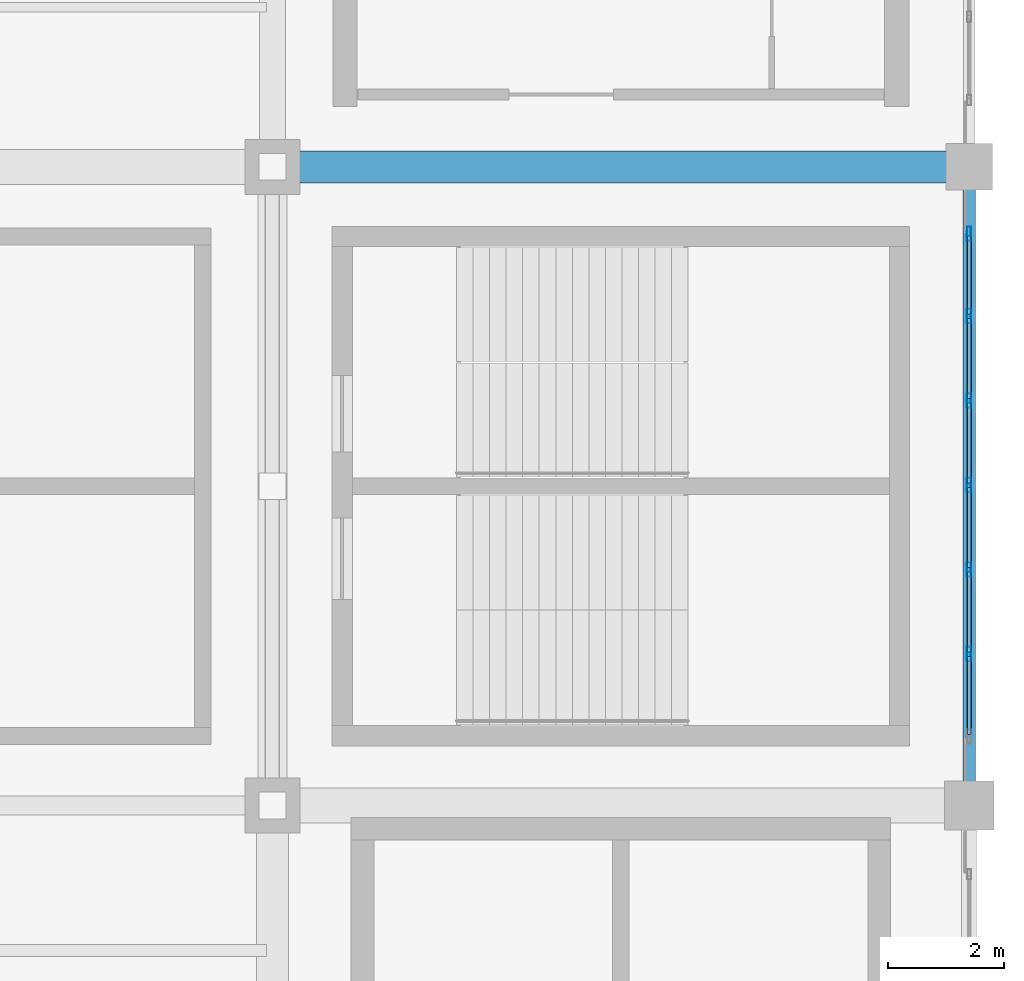
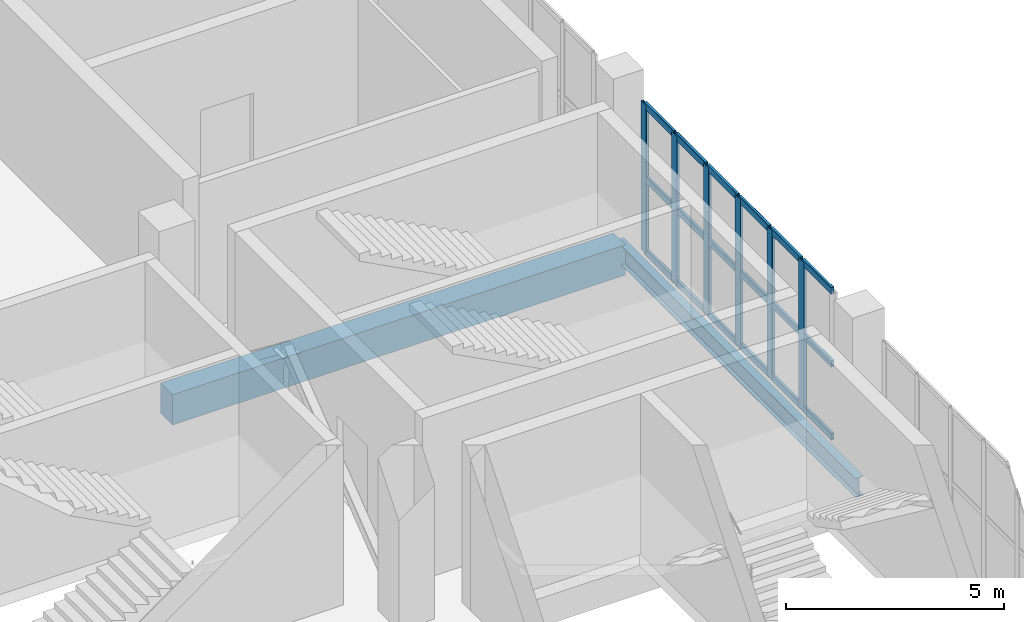
# One storey, part 35 of 90: 24 members, 2 beams, 1 element without a shape of its own.
"""IFC4 building model written with IfcOpenShell, lengths in metres."""

from ifc_helpers import new_model, si_unit, direction, frame, origin, origin_2d, place, context, subcontext, project, spatial, rectangle, hollow_rectangle, i_section, extrude, material, layer, layer_set, material_profile, profile_set, type_object, element, aggregate, save


model = new_model("IFC4")

# Units and contexts
model_context = context("Model", 3, precision=1e-05, world=origin(), true_north=direction((0.0, 1.0)))
body_context = subcontext(model_context, "Body", "Model", "MODEL_VIEW")
ifc_project = project(units=[si_unit("LENGTHUNIT", "METRE"), si_unit("AREAUNIT", "SQUARE_METRE"), si_unit("VOLUMEUNIT", "CUBIC_METRE"), si_unit("PLANEANGLEUNIT", "RADIAN"), si_unit("MASSUNIT", "GRAM", prefix="KILO")], contexts=[model_context])

# Site, building, storey
site_placement = place(None, origin())
site = spatial("IfcSite", under=ifc_project, at=site_placement, CompositionType="ELEMENT")
building_placement = place(site_placement, origin())
building = spatial("IfcBuilding", under=site, at=building_placement, Name="Brinegate Civic Arena", CompositionType="ELEMENT")
storey_placement = place(building_placement, frame((0.0, 0.0, 14.699951171875)))
storey = spatial("IfcBuildingStorey", under=building, at=storey_placement, Name="L03", CompositionType="ELEMENT", Elevation=14.699951171875)

# Curtain wall, members
ifc_material_1 = material(Name="Marine grade aluminium", Category="aluminium")
ifc_layer = layer(ifc_material_1, 0.199951171875, Name="Marine grade aluminium")
ifc_layer_set = layer_set([ifc_layer], Name="Marine grade aluminium")
curtain_wall_type = type_object("IfcCurtainWallType", Name="CW-BOWL-GLAZED-01", PredefinedType="USERDEFINED", material=ifc_layer_set)
curtain_wall_placement = place(storey_placement, origin())
curtain_wall = element("IfcCurtainWall", 1, at=curtain_wall_placement, inside=storey, type_object=curtain_wall_type, Name="Curtain Wall CWA-106", ObjectType="GLAZED CURTAIN WALL", PredefinedType="USERDEFINED")
ifc_material_profile_1 = material_profile(ifc_material_1, hollow_rectangle(XDim=0.074951171875, YDim=0.25, WallThickness=0.006103515625, InnerFilletRadius=0.00390625, OuterFilletRadius=0.008056640625, at=origin_2d()), Name="MUL75X250")
ifc_profile_set_1 = profile_set([ifc_material_profile_1], Name="Marine grade aluminium")
member_type_1 = type_object("IfcMemberType", Name="CW-MULLION-75X250", PredefinedType="MULLION", material=ifc_profile_set_1)
member_1_placement = place(storey_placement, frame((168.0, 22.6064453125, 0.0), z_axis=(0.0, 0.0, 1.0), x_axis=(-1.0, 0.0, 0.0)))
member_1 = element("IfcMember", 2, at=member_1_placement, type_object=member_type_1, Name="CWA-106 mullion 2", PredefinedType="MULLION", context=body_context, shape_type="SweptSolid", body=[
    extrude(hollow_rectangle(XDim=0.074951171875, YDim=0.25, WallThickness=0.006103515625, InnerFilletRadius=0.00390625, OuterFilletRadius=0.008056640625, at=origin_2d()), origin(), (0.0, 0.0, 1.0), 4.16015625),
])
member_2_placement = place(storey_placement, frame((168.0, 24.06201171875, 0.0), z_axis=(0.0, 0.0, 1.0), x_axis=(-1.0, 0.0, 0.0)))
member_2 = element("IfcMember", 3, at=member_2_placement, type_object=member_type_1, Name="CWA-106 mullion 3", PredefinedType="MULLION", context=body_context, shape_type="SweptSolid", body=[
    extrude(hollow_rectangle(XDim=0.074951171875, YDim=0.25, WallThickness=0.006103515625, InnerFilletRadius=0.00390625, OuterFilletRadius=0.008056640625, at=origin_2d()), origin(), (0.0, 0.0, 1.0), 4.16015625),
])
member_3_placement = place(storey_placement, frame((168.0, 25.517578125, 0.0), z_axis=(0.0, 0.0, 1.0), x_axis=(-1.0, 0.0, 0.0)))
member_3 = element("IfcMember", 4, at=member_3_placement, type_object=member_type_1, Name="CWA-106 mullion 4", PredefinedType="MULLION", context=body_context, shape_type="SweptSolid", body=[
    extrude(hollow_rectangle(XDim=0.074951171875, YDim=0.25, WallThickness=0.006103515625, InnerFilletRadius=0.00390625, OuterFilletRadius=0.008056640625, at=origin_2d()), origin(), (0.0, 0.0, 1.0), 4.16015625),
])
member_4_placement = place(storey_placement, frame((168.0, 26.972900390625, 0.0), z_axis=(0.0, 0.0, 1.0), x_axis=(-1.0, 0.0, 0.0)))
member_4 = element("IfcMember", 5, at=member_4_placement, type_object=member_type_1, Name="CWA-106 mullion 5", PredefinedType="MULLION", context=body_context, shape_type="SweptSolid", body=[
    extrude(hollow_rectangle(XDim=0.074951171875, YDim=0.25, WallThickness=0.006103515625, InnerFilletRadius=0.00390625, OuterFilletRadius=0.008056640625, at=origin_2d()), origin(), (0.0, 0.0, 1.0), 4.16015625),
])
member_5_placement = place(storey_placement, frame((168.0, 28.428466796875, 0.0), z_axis=(0.0, 0.0, 1.0), x_axis=(-1.0, 0.0, 0.0)))
member_5 = element("IfcMember", 6, at=member_5_placement, type_object=member_type_1, Name="CWA-106 mullion 6", PredefinedType="MULLION", context=body_context, shape_type="SweptSolid", body=[
    extrude(hollow_rectangle(XDim=0.074951171875, YDim=0.25, WallThickness=0.006103515625, InnerFilletRadius=0.00390625, OuterFilletRadius=0.008056640625, at=origin_2d()), origin(), (0.0, 0.0, 1.0), 4.16015625),
])
member_6_placement = place(storey_placement, frame((168.0, 29.846435546875, 0.0), z_axis=(0.0, 0.0, 1.0), x_axis=(-1.0, 0.0, 0.0)))
member_6 = element("IfcMember", 7, at=member_6_placement, type_object=member_type_1, Name="CWA-106 mullion 7", PredefinedType="MULLION", context=body_context, shape_type="SweptSolid", body=[
    extrude(hollow_rectangle(XDim=0.074951171875, YDim=0.25, WallThickness=0.006103515625, InnerFilletRadius=0.00390625, OuterFilletRadius=0.008056640625, at=origin_2d()), origin(), (0.0, 0.0, 1.0), 4.16015625),
])
ifc_material_profile_2 = material_profile(ifc_material_1, hollow_rectangle(XDim=0.074951171875, YDim=0.18994140625, WallThickness=0.006103515625, InnerFilletRadius=0.00390625, OuterFilletRadius=0.008056640625, at=origin_2d()), Name="TRN75X190")
ifc_profile_set_2 = profile_set([ifc_material_profile_2], Name="Marine grade aluminium")
member_type_2 = type_object("IfcMemberType", Name="CW-TRANSOM-75X190", PredefinedType="USERDEFINED", material=ifc_profile_set_2)
member_7_placement = place(storey_placement, frame((168.0, 21.22607421875, 0.03759765625), z_axis=(0.0, 1.0, 0.0), x_axis=(-1.0, 0.0, 0.0)))
member_7 = element("IfcMember", 8, at=member_7_placement, type_object=member_type_2, Name="CWA-106 transom 1.1", ObjectType="TRANSOM", PredefinedType="USERDEFINED", context=body_context, shape_type="SweptSolid", body=[
    extrude(hollow_rectangle(XDim=0.074951171875, YDim=0.18994140625, WallThickness=0.006103515625, InnerFilletRadius=0.00390625, OuterFilletRadius=0.008056640625, at=origin_2d()), origin(), (0.0, 0.0, 1.0), 1.343017578125),
])
member_8_placement = place(storey_placement, frame((168.0, 21.22607421875, 2.080078125), z_axis=(0.0, 1.0, 0.0), x_axis=(-1.0, 0.0, 0.0)))
member_8 = element("IfcMember", 9, at=member_8_placement, type_object=member_type_2, Name="CWA-106 transom 1.2", ObjectType="TRANSOM", PredefinedType="USERDEFINED", context=body_context, shape_type="SweptSolid", body=[
    extrude(hollow_rectangle(XDim=0.074951171875, YDim=0.18994140625, WallThickness=0.006103515625, InnerFilletRadius=0.00390625, OuterFilletRadius=0.008056640625, at=origin_2d()), origin(), (0.0, 0.0, 1.0), 1.343017578125),
])
member_9_placement = place(storey_placement, frame((168.0, 21.22607421875, 4.12255859375), z_axis=(0.0, 1.0, 0.0), x_axis=(-1.0, 0.0, 0.0)))
member_9 = element("IfcMember", 10, at=member_9_placement, type_object=member_type_2, Name="CWA-106 transom 1.3", ObjectType="TRANSOM", PredefinedType="USERDEFINED", context=body_context, shape_type="SweptSolid", body=[
    extrude(hollow_rectangle(XDim=0.074951171875, YDim=0.18994140625, WallThickness=0.006103515625, InnerFilletRadius=0.00390625, OuterFilletRadius=0.008056640625, at=origin_2d()), origin(), (0.0, 0.0, 1.0), 1.343017578125),
])
member_10_placement = place(storey_placement, frame((168.0, 22.64404296875, 0.03759765625), z_axis=(0.0, 1.0, 0.0), x_axis=(-1.0, 0.0, 0.0)))
member_10 = element("IfcMember", 11, at=member_10_placement, type_object=member_type_2, Name="CWA-106 transom 2.1", ObjectType="TRANSOM", PredefinedType="USERDEFINED", context=body_context, shape_type="SweptSolid", body=[
    extrude(hollow_rectangle(XDim=0.074951171875, YDim=0.18994140625, WallThickness=0.006103515625, InnerFilletRadius=0.00390625, OuterFilletRadius=0.008056640625, at=origin_2d()), origin(), (0.0, 0.0, 1.0), 1.38037109375),
])
member_11_placement = place(storey_placement, frame((168.0, 22.64404296875, 2.080078125), z_axis=(0.0, 1.0, 0.0), x_axis=(-1.0, 0.0, 0.0)))
member_11 = element("IfcMember", 12, at=member_11_placement, type_object=member_type_2, Name="CWA-106 transom 2.2", ObjectType="TRANSOM", PredefinedType="USERDEFINED", context=body_context, shape_type="SweptSolid", body=[
    extrude(hollow_rectangle(XDim=0.074951171875, YDim=0.18994140625, WallThickness=0.006103515625, InnerFilletRadius=0.00390625, OuterFilletRadius=0.008056640625, at=origin_2d()), origin(), (0.0, 0.0, 1.0), 1.38037109375),
])
member_12_placement = place(storey_placement, frame((168.0, 22.64404296875, 4.12255859375), z_axis=(0.0, 1.0, 0.0), x_axis=(-1.0, 0.0, 0.0)))
member_12 = element("IfcMember", 13, at=member_12_placement, type_object=member_type_2, Name="CWA-106 transom 2.3", ObjectType="TRANSOM", PredefinedType="USERDEFINED", context=body_context, shape_type="SweptSolid", body=[
    extrude(hollow_rectangle(XDim=0.074951171875, YDim=0.18994140625, WallThickness=0.006103515625, InnerFilletRadius=0.00390625, OuterFilletRadius=0.008056640625, at=origin_2d()), origin(), (0.0, 0.0, 1.0), 1.38037109375),
])
member_13_placement = place(storey_placement, frame((168.0, 24.099609375, 0.03759765625), z_axis=(0.0, 1.0, 0.0), x_axis=(-1.0, 0.0, 0.0)))
member_13 = element("IfcMember", 14, at=member_13_placement, type_object=member_type_2, Name="CWA-106 transom 3.1", ObjectType="TRANSOM", PredefinedType="USERDEFINED", context=body_context, shape_type="SweptSolid", body=[
    extrude(hollow_rectangle(XDim=0.074951171875, YDim=0.18994140625, WallThickness=0.006103515625, InnerFilletRadius=0.00390625, OuterFilletRadius=0.008056640625, at=origin_2d()), origin(), (0.0, 0.0, 1.0), 1.38037109375),
])
member_14_placement = place(storey_placement, frame((168.0, 24.099609375, 2.080078125), z_axis=(0.0, 1.0, 0.0), x_axis=(-1.0, 0.0, 0.0)))
member_14 = element("IfcMember", 15, at=member_14_placement, type_object=member_type_2, Name="CWA-106 transom 3.2", ObjectType="TRANSOM", PredefinedType="USERDEFINED", context=body_context, shape_type="SweptSolid", body=[
    extrude(hollow_rectangle(XDim=0.074951171875, YDim=0.18994140625, WallThickness=0.006103515625, InnerFilletRadius=0.00390625, OuterFilletRadius=0.008056640625, at=origin_2d()), origin(), (0.0, 0.0, 1.0), 1.38037109375),
])
member_15_placement = place(storey_placement, frame((168.0, 24.099609375, 4.12255859375), z_axis=(0.0, 1.0, 0.0), x_axis=(-1.0, 0.0, 0.0)))
member_15 = element("IfcMember", 16, at=member_15_placement, type_object=member_type_2, Name="CWA-106 transom 3.3", ObjectType="TRANSOM", PredefinedType="USERDEFINED", context=body_context, shape_type="SweptSolid", body=[
    extrude(hollow_rectangle(XDim=0.074951171875, YDim=0.18994140625, WallThickness=0.006103515625, InnerFilletRadius=0.00390625, OuterFilletRadius=0.008056640625, at=origin_2d()), origin(), (0.0, 0.0, 1.0), 1.38037109375),
])
member_16_placement = place(storey_placement, frame((168.0, 25.554931640625, 0.03759765625), z_axis=(0.0, 1.0, 0.0), x_axis=(-1.0, 0.0, 0.0)))
member_16 = element("IfcMember", 17, at=member_16_placement, type_object=member_type_2, Name="CWA-106 transom 4.1", ObjectType="TRANSOM", PredefinedType="USERDEFINED", context=body_context, shape_type="SweptSolid", body=[
    extrude(hollow_rectangle(XDim=0.074951171875, YDim=0.18994140625, WallThickness=0.006103515625, InnerFilletRadius=0.00390625, OuterFilletRadius=0.008056640625, at=origin_2d()), origin(), (0.0, 0.0, 1.0), 1.380615234375),
])
member_17_placement = place(storey_placement, frame((168.0, 25.554931640625, 2.080078125), z_axis=(0.0, 1.0, 0.0), x_axis=(-1.0, 0.0, 0.0)))
member_17 = element("IfcMember", 18, at=member_17_placement, type_object=member_type_2, Name="CWA-106 transom 4.2", ObjectType="TRANSOM", PredefinedType="USERDEFINED", context=body_context, shape_type="SweptSolid", body=[
    extrude(hollow_rectangle(XDim=0.074951171875, YDim=0.18994140625, WallThickness=0.006103515625, InnerFilletRadius=0.00390625, OuterFilletRadius=0.008056640625, at=origin_2d()), origin(), (0.0, 0.0, 1.0), 1.380615234375),
])
member_18_placement = place(storey_placement, frame((168.0, 25.554931640625, 4.12255859375), z_axis=(0.0, 1.0, 0.0), x_axis=(-1.0, 0.0, 0.0)))
member_18 = element("IfcMember", 19, at=member_18_placement, type_object=member_type_2, Name="CWA-106 transom 4.3", ObjectType="TRANSOM", PredefinedType="USERDEFINED", context=body_context, shape_type="SweptSolid", body=[
    extrude(hollow_rectangle(XDim=0.074951171875, YDim=0.18994140625, WallThickness=0.006103515625, InnerFilletRadius=0.00390625, OuterFilletRadius=0.008056640625, at=origin_2d()), origin(), (0.0, 0.0, 1.0), 1.380615234375),
])
member_19_placement = place(storey_placement, frame((168.0, 27.010498046875, 0.03759765625), z_axis=(0.0, 1.0, 0.0), x_axis=(-1.0, 0.0, 0.0)))
member_19 = element("IfcMember", 20, at=member_19_placement, type_object=member_type_2, Name="CWA-106 transom 5.1", ObjectType="TRANSOM", PredefinedType="USERDEFINED", context=body_context, shape_type="SweptSolid", body=[
    extrude(hollow_rectangle(XDim=0.074951171875, YDim=0.18994140625, WallThickness=0.006103515625, InnerFilletRadius=0.00390625, OuterFilletRadius=0.008056640625, at=origin_2d()), origin(), (0.0, 0.0, 1.0), 1.380615234375),
])
member_20_placement = place(storey_placement, frame((168.0, 27.010498046875, 2.080078125), z_axis=(0.0, 1.0, 0.0), x_axis=(-1.0, 0.0, 0.0)))
member_20 = element("IfcMember", 21, at=member_20_placement, type_object=member_type_2, Name="CWA-106 transom 5.2", ObjectType="TRANSOM", PredefinedType="USERDEFINED", context=body_context, shape_type="SweptSolid", body=[
    extrude(hollow_rectangle(XDim=0.074951171875, YDim=0.18994140625, WallThickness=0.006103515625, InnerFilletRadius=0.00390625, OuterFilletRadius=0.008056640625, at=origin_2d()), origin(), (0.0, 0.0, 1.0), 1.380615234375),
])
member_21_placement = place(storey_placement, frame((168.0, 27.010498046875, 4.12255859375), z_axis=(0.0, 1.0, 0.0), x_axis=(-1.0, 0.0, 0.0)))
member_21 = element("IfcMember", 22, at=member_21_placement, type_object=member_type_2, Name="CWA-106 transom 5.3", ObjectType="TRANSOM", PredefinedType="USERDEFINED", context=body_context, shape_type="SweptSolid", body=[
    extrude(hollow_rectangle(XDim=0.074951171875, YDim=0.18994140625, WallThickness=0.006103515625, InnerFilletRadius=0.00390625, OuterFilletRadius=0.008056640625, at=origin_2d()), origin(), (0.0, 0.0, 1.0), 1.380615234375),
])
member_22_placement = place(storey_placement, frame((168.0, 28.466064453125, 0.03759765625), z_axis=(0.0, 1.0, 0.0), x_axis=(-1.0, 0.0, 0.0)))
member_22 = element("IfcMember", 23, at=member_22_placement, type_object=member_type_2, Name="CWA-106 transom 6.1", ObjectType="TRANSOM", PredefinedType="USERDEFINED", context=body_context, shape_type="SweptSolid", body=[
    extrude(hollow_rectangle(XDim=0.074951171875, YDim=0.18994140625, WallThickness=0.006103515625, InnerFilletRadius=0.00390625, OuterFilletRadius=0.008056640625, at=origin_2d()), origin(), (0.0, 0.0, 1.0), 1.343017578125),
])
member_23_placement = place(storey_placement, frame((168.0, 28.466064453125, 2.080078125), z_axis=(0.0, 1.0, 0.0), x_axis=(-1.0, 0.0, 0.0)))
member_23 = element("IfcMember", 24, at=member_23_placement, type_object=member_type_2, Name="CWA-106 transom 6.2", ObjectType="TRANSOM", PredefinedType="USERDEFINED", context=body_context, shape_type="SweptSolid", body=[
    extrude(hollow_rectangle(XDim=0.074951171875, YDim=0.18994140625, WallThickness=0.006103515625, InnerFilletRadius=0.00390625, OuterFilletRadius=0.008056640625, at=origin_2d()), origin(), (0.0, 0.0, 1.0), 1.343017578125),
])
member_24_placement = place(storey_placement, frame((168.0, 28.466064453125, 4.12255859375), z_axis=(0.0, 1.0, 0.0), x_axis=(-1.0, 0.0, 0.0)))
member_24 = element("IfcMember", 25, at=member_24_placement, type_object=member_type_2, Name="CWA-106 transom 6.3", ObjectType="TRANSOM", PredefinedType="USERDEFINED", context=body_context, shape_type="SweptSolid", body=[
    extrude(hollow_rectangle(XDim=0.074951171875, YDim=0.18994140625, WallThickness=0.006103515625, InnerFilletRadius=0.00390625, OuterFilletRadius=0.008056640625, at=origin_2d()), origin(), (0.0, 0.0, 1.0), 1.343017578125),
])
aggregate(curtain_wall, [member_1, member_2, member_3, member_4, member_5, member_6, member_7, member_8, member_9, member_10, member_11, member_12, member_13, member_14, member_15, member_16, member_17, member_18, member_19, member_20, member_21, member_22, member_23, member_24])

# Beams
ifc_material_2 = material(Name="Concrete C50/60", Category="concrete")
ifc_material_profile_3 = material_profile(ifc_material_2, rectangle(XDim=0.550048828125, YDim=0.85009765625, at=origin_2d()), Name="RCB550X850")
ifc_profile_set_3 = profile_set([ifc_material_profile_3], Name="Concrete C50/60")
beam_type_1 = type_object("IfcBeamType", Name="RCG-550X850", PredefinedType="BEAM", material=ifc_profile_set_3)
beam_1_placement = place(storey_placement, frame((156.0, 31.0, -0.77490234375), z_axis=(1.0, 0.0, 0.0), x_axis=(0.0, 1.0, 0.0)))
element("IfcBeam", 26, at=beam_1_placement, inside=storey, type_object=beam_type_1, Name="Floor Girder BM-L03-GX-13-03", PredefinedType="BEAM", context=body_context, shape_type="SweptSolid", body=[
    extrude(rectangle(XDim=0.550048828125, YDim=0.85009765625, at=origin_2d()), origin(), (0.0, 0.0, 1.0), 12.0),
])
ifc_material_3 = material(Name="Steel S355", Category="steel")
ifc_material_profile_4 = material_profile(ifc_material_3, i_section(OverallWidth=0.2119140625, OverallDepth=0.5439453125, WebThickness=0.012939453125, FlangeThickness=0.02099609375, FilletRadius=0.01611328125, at=origin_2d()), Name="W530X123")
ifc_profile_set_4 = profile_set([ifc_material_profile_4], Name="Steel S355")
beam_type_2 = type_object("IfcBeamType", Name="SPANDREL-W530X123", PredefinedType="SPANDREL", material=ifc_profile_set_4)
beam_2_placement = place(storey_placement, frame((168.0, 20.0, -0.6220703125), z_axis=(0.0, 1.0, 0.0), x_axis=(-1.0, 0.0, 0.0)))
element("IfcBeam", 27, at=beam_2_placement, inside=storey, type_object=beam_type_2, Name="Floor Girder BM-L03-GY-14-02", PredefinedType="SPANDREL", context=body_context, shape_type="SweptSolid", body=[
    extrude(i_section(OverallWidth=0.2119140625, OverallDepth=0.5439453125, WebThickness=0.012939453125, FlangeThickness=0.02099609375, FilletRadius=0.01611328125, at=origin_2d()), origin(), (0.0, 0.0, 1.0), 11.0),
])

save(model, "model.ifc")
